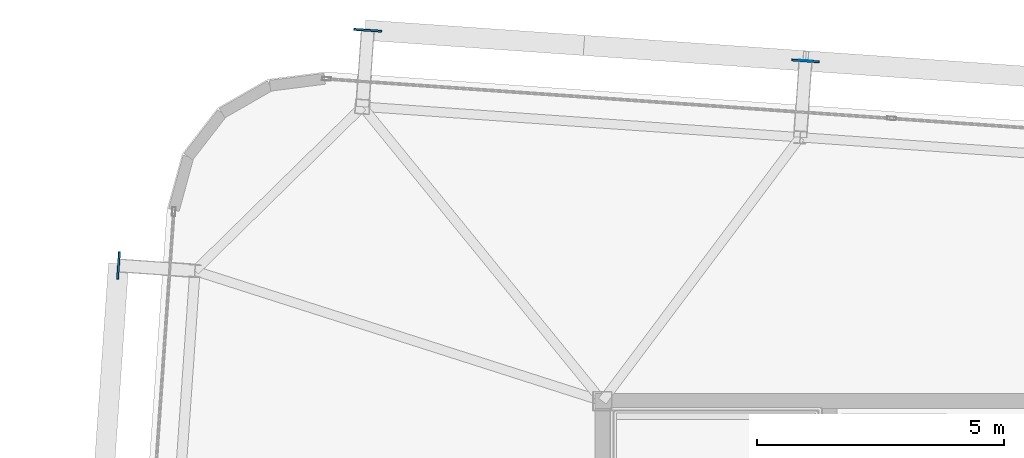
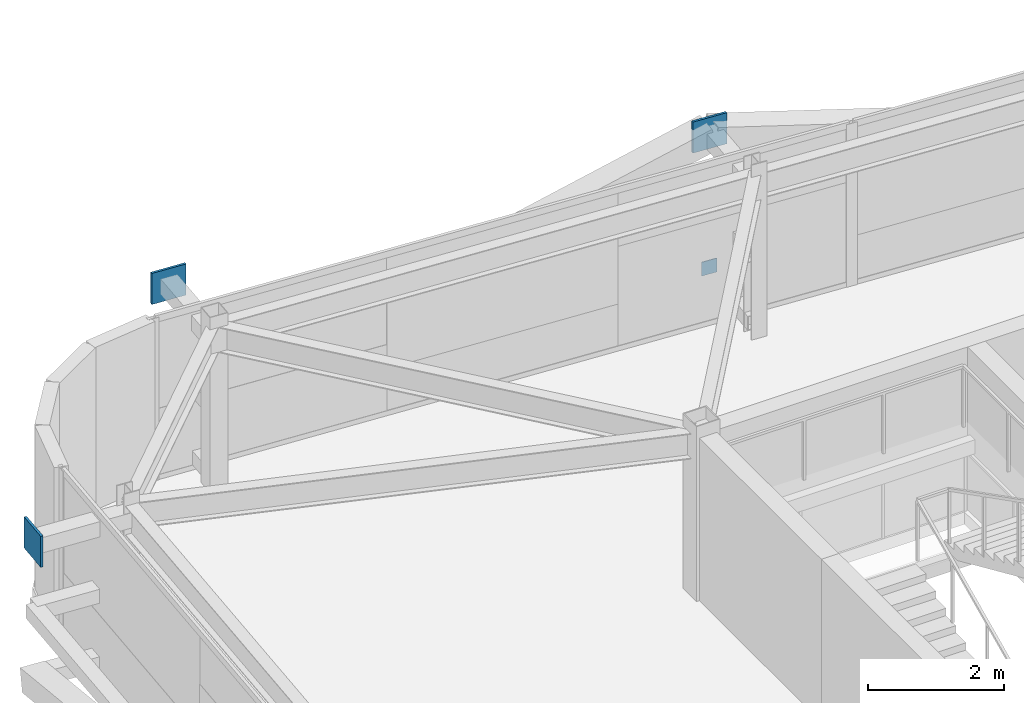
# One storey, part 32 of 39: 4 plates.
"""IFC4 building model written with IfcOpenShell, lengths in metres."""

from ifc_helpers import new_model, si_unit, direction, frame, origin, origin_2d, place, context, subcontext, project, spatial, rectangle, extrude, source, transform, mapped, material, layer, layer_set, type_object, element, save


model = new_model("IFC4")

# Units and contexts
model_context = context("Model", 3, precision=1e-05, world=origin(), true_north=direction((0.0, 1.0)))
body_context = subcontext(model_context, "Body", "Model", "MODEL_VIEW")
ifc_project = project(units=[si_unit("LENGTHUNIT", "METRE"), si_unit("AREAUNIT", "SQUARE_METRE"), si_unit("VOLUMEUNIT", "CUBIC_METRE"), si_unit("PLANEANGLEUNIT", "RADIAN"), si_unit("MASSUNIT", "GRAM", prefix="KILO")], contexts=[model_context])

# Site, building, storey
site_placement = place(None, origin())
site = spatial("IfcSite", under=ifc_project, at=site_placement, CompositionType="ELEMENT")
building_placement = place(site_placement, origin())
building = spatial("IfcBuilding", under=site, at=building_placement, Name="Taldren Reach Tower", CompositionType="ELEMENT")
storey_placement = place(building_placement, frame((0.0, 0.0, 133.0)))
storey = spatial("IfcBuildingStorey", under=building, at=storey_placement, Name="L40", CompositionType="ELEMENT", Elevation=133.0)

# Plates
ifc_material_1 = material(Name="Steel Gr 450 (C450L0)", Category="steel")
ifc_layer_1 = layer(ifc_material_1, 0.0400390625)
ifc_layer_set_1 = layer_set([ifc_layer_1], Name="Steel Gr 450 (C450L0)")
plate_type_1 = type_object("IfcPlateType", Name="PL-GUSSET-40", PredefinedType="SHEET", material=ifc_layer_set_1)
shared_shape_1 = source(origin(), body_context, "Body", "SweptSolid", [
    extrude(rectangle(XDim=0.56005859375, YDim=0.0400390625, at=origin_2d()), origin(), (0.0, 0.0, 1.0), 0.56005859375),
])
for number, where, z_axis, x_axis, name in (
    (1, (14.252685546875, 39.5048828125, 2.369873046875), (0.0, 0.0, 1.0), (0.99756405026, -0.069756473744, 0.0), "Exoskeleton star-node gusset plate B3-N1 L40"),
    (2, (23.111083984375, 38.885498046875, 2.369873046875), (0.0, 0.0, 1.0), (0.99756405026, -0.069756473744, 0.0), "Exoskeleton star-node gusset plate B3-N2 L40"),
    (3, (9.20849609375, 34.745361328125, 2.369873046875), (0.0, 0.0, 1.0), (0.069756473744, 0.99756405026, 0.0), "Exoskeleton star-node gusset plate B3-W3 L40"),
):
    element("IfcPlate", number, at=place(storey_placement, frame(where, z_axis=z_axis, x_axis=x_axis)), inside=storey, type_object=plate_type_1, Name=name, PredefinedType="SHEET", context=body_context, shape_type="MappedRepresentation", body=[
        mapped(shared_shape_1, transform((0.0, 0.0, 0.0), scale=1.0)),
    ])
ifc_material_2 = material(Name="Steel Gr 350 (C350L0)", Category="steel")
ifc_layer_2 = layer(ifc_material_2, 0.011962890625)
ifc_layer_set_2 = layer_set([ifc_layer_2], Name="Steel Gr 350 (C350L0)")
plate_type_2 = type_object("IfcPlateType", Name="PL-CAP-250", PredefinedType="SHEET", material=ifc_layer_set_2)
shared_shape_2 = source(origin(), body_context, "Body", "SweptSolid", [
    extrude(rectangle(XDim=0.25, YDim=0.011962890625, at=origin_2d()), origin(), (0.0, 0.0, 1.0), 0.25),
])
plate_placement = place(storey_placement, frame((23.111572265625, 38.8916015625, 0.094970703125), z_axis=(0.0, 0.0, 1.0), x_axis=(0.99756405026, -0.069756473744, 0.0)))
element("IfcPlate", 4, at=plate_placement, inside=storey, type_object=plate_type_2, Name="Tie strut end cap plate B3-N2 L40", PredefinedType="SHEET", context=body_context, shape_type="MappedRepresentation", body=[
    mapped(shared_shape_2, transform((0.0, 0.0, 0.0), scale=1.0)),
])

save(model, "model.ifc")
